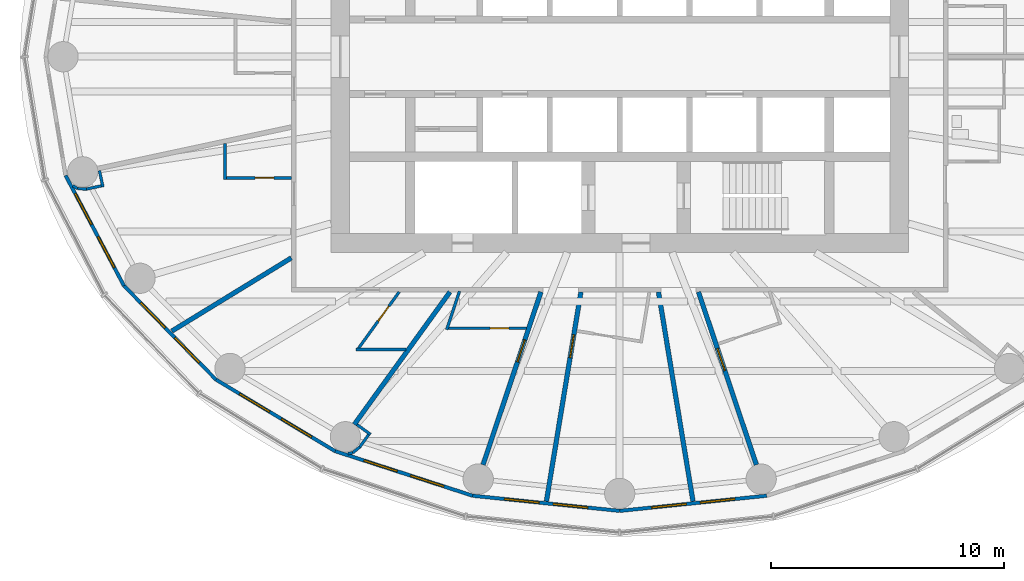
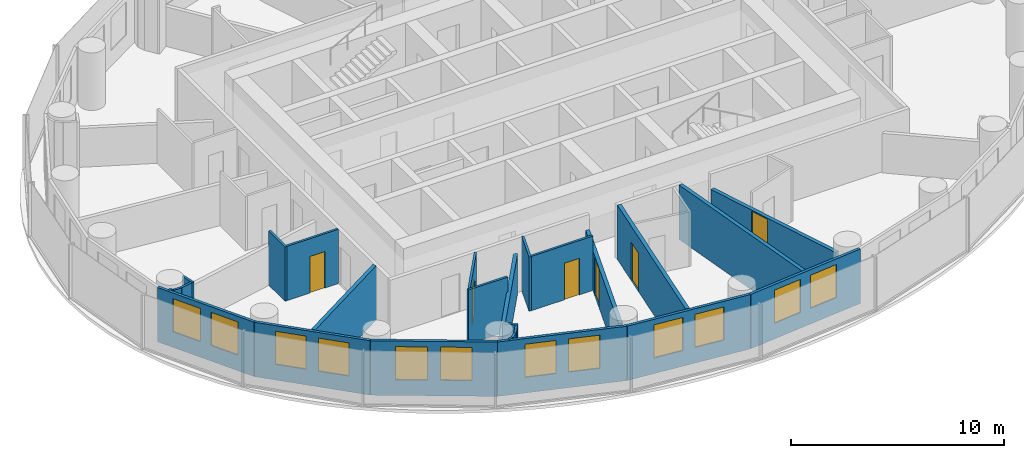
# One storey, part 6 of 13: 26 walls, 12 windows, 6 doors, 18 openings.
"""IFC4 building model written with IfcOpenShell, lengths in metres."""

from ifc_helpers import new_model, si_unit, direction, frame, frame_2d, origin, place, context, subcontext, project, spatial, rectangle, extrude, material, layer, layer_set, type_object, element, fill, save


model = new_model("IFC4")

# Units and contexts
model_context = context("Model", 3, precision=1e-05, world=origin(), true_north=direction((0.0, 1.0)))
body_context = subcontext(model_context, "Body", "Model", "MODEL_VIEW")
ifc_project = project(units=[si_unit("LENGTHUNIT", "METRE"), si_unit("AREAUNIT", "SQUARE_METRE"), si_unit("VOLUMEUNIT", "CUBIC_METRE"), si_unit("PLANEANGLEUNIT", "RADIAN"), si_unit("MASSUNIT", "GRAM", prefix="KILO")], contexts=[model_context])

# Site, building, storey
site_placement = place(None, origin())
site = spatial("IfcSite", under=ifc_project, at=site_placement, CompositionType="ELEMENT")
building_placement = place(site_placement, origin())
building = spatial("IfcBuilding", under=site, at=building_placement, Name="Hankou Lantern Tower", CompositionType="ELEMENT")
storey_placement = place(building_placement, frame((0.0, 0.0, 105.60009765625)))
storey = spatial("IfcBuildingStorey", under=building, at=storey_placement, Name="L26", CompositionType="ELEMENT", Elevation=105.60009765625)

# Wall, openings, windows
ifc_material_1 = material(Name="Aluminium spandrel panel on steel studs", Category="steel")
ifc_layer_1 = layer(ifc_material_1, 0.14990234375)
ifc_layer_set_1 = layer_set([ifc_layer_1], Name="Aluminium spandrel panel on steel studs")
wall_type_1 = type_object("IfcWallType", Name="EW1 INNER SKIN WALL 150", PredefinedType="ELEMENTEDWALL", material=ifc_layer_set_1)
wall_1_placement = place(storey_placement, frame((-23.7919921875, -5.10009765625, 0.0), z_axis=(0.0, 0.0, 1.0), x_axis=(0.467814388454, -0.883826735257, 0.0)))
wall_1 = element("IfcWall", 1, at=wall_1_placement, inside=storey, type_object=wall_type_1, Name="Inner skin R14-R15 L26", PredefinedType="ELEMENTEDWALL", context=body_context, shape_type="SweptSolid", body=[
    extrude(rectangle(XDim=5.35400390625, YDim=0.14990234375, at=frame_2d((2.677001953125, 0.0))), origin(), (0.0, 0.0, 1.0), 3.119873046875),
])
opening_1_placement = place(wall_1_placement, frame((0.876953125, 0.0, 0.89990234375)))
opening_1 = element("IfcOpeningElement", 2, at=opening_1_placement, cuts=wall_1, Name="Opening W2", PredefinedType="OPENING", context=body_context, shape_type="SweptSolid", body=[
    extrude(rectangle(XDim=1.5, YDim=1.89990234375, at=frame_2d((0.75, 0.949951171875))), frame((0.0, 0.0849609375, 0.0), z_axis=(0.0, -1.0, 0.0), x_axis=(1.0, 0.0, 0.0)), (0.0, 0.0, 1.0), 0.169921875),
])
opening_2_placement = place(wall_1_placement, frame((2.97705078125, 0.0, 0.89990234375)))
opening_2 = element("IfcOpeningElement", 3, at=opening_2_placement, cuts=wall_1, Name="Opening W2", PredefinedType="OPENING", context=body_context, shape_type="SweptSolid", body=[
    extrude(rectangle(XDim=1.5, YDim=1.89990234375, at=frame_2d((0.75, 0.949951171875))), frame((0.0, 0.0849609375, 0.0), z_axis=(0.0, -1.0, 0.0), x_axis=(1.0, 0.0, 0.0)), (0.0, 0.0, 1.0), 0.169921875),
])
ifc_material_2 = material(Name="Aluminium framed double glazed window", Category="aluminium")
window_type = type_object("IfcWindowType", Name="W2 GUEST ROOM WINDOW 1500X1900", PartitioningType="DOUBLE_PANEL_VERTICAL", PredefinedType="WINDOW", material=ifc_material_2)
window_1_placement = place(opening_1_placement, origin())
window_1 = element("IfcWindow", 4, at=window_1_placement, inside=storey, type_object=window_type, Name="Window R14.1 L26", OverallHeight=1.89990234375, OverallWidth=1.5, PartitioningType="SINGLE_PANEL", PredefinedType="WINDOW", context=body_context, shape_type="SweptSolid", body=[
    extrude(rectangle(XDim=1.5, YDim=1.89990234375, at=frame_2d((0.75, 0.949951171875))), frame((0.0, 0.030029296875, 0.0), z_axis=(0.0, -1.0, 0.0), x_axis=(1.0, 0.0, 0.0)), (0.0, 0.0, 1.0), 0.06005859375),
])
fill(opening_1, window_1)
window_2_placement = place(opening_2_placement, origin())
window_2 = element("IfcWindow", 5, at=window_2_placement, inside=storey, type_object=window_type, Name="Window R14.2 L26", OverallHeight=1.89990234375, OverallWidth=1.5, PartitioningType="SINGLE_PANEL", PredefinedType="WINDOW", context=body_context, shape_type="SweptSolid", body=[
    extrude(rectangle(XDim=1.5, YDim=1.89990234375, at=frame_2d((0.75, 0.949951171875))), frame((0.0, 0.030029296875, 0.0), z_axis=(0.0, -1.0, 0.0), x_axis=(1.0, 0.0, 0.0)), (0.0, 0.0, 1.0), 0.06005859375),
])
fill(opening_2, window_2)

wall_2_placement = place(storey_placement, frame((-21.287353515625, -9.83203125, 0.0), z_axis=(0.0, 0.0, 1.0), x_axis=(0.700136650834, -0.714008872605, 0.0)))
wall_2 = element("IfcWall", 6, at=wall_2_placement, inside=storey, type_object=wall_type_1, Name="Inner skin R15-R16 L26", PredefinedType="ELEMENTEDWALL", context=body_context, shape_type="SweptSolid", body=[
    extrude(rectangle(XDim=5.6494140625, YDim=0.14990234375, at=frame_2d((2.82470703125, 0.0))), origin(), (0.0, 0.0, 1.0), 3.119873046875),
])
opening_3_placement = place(wall_2_placement, frame((1.024658203125, 0.0, 0.89990234375)))
opening_3 = element("IfcOpeningElement", 7, at=opening_3_placement, cuts=wall_2, Name="Opening W2", PredefinedType="OPENING", context=body_context, shape_type="SweptSolid", body=[
    extrude(rectangle(XDim=1.5, YDim=1.89990234375, at=frame_2d((0.75, 0.949951171875))), frame((0.0, 0.0849609375, 0.0), z_axis=(0.0, -1.0, 0.0), x_axis=(1.0, 0.0, 0.0)), (0.0, 0.0, 1.0), 0.169921875),
])
opening_4_placement = place(wall_2_placement, frame((3.12451171875, 0.0, 0.89990234375)))
opening_4 = element("IfcOpeningElement", 8, at=opening_4_placement, cuts=wall_2, Name="Opening W2", PredefinedType="OPENING", context=body_context, shape_type="SweptSolid", body=[
    extrude(rectangle(XDim=1.5, YDim=1.89990234375, at=frame_2d((0.75, 0.949951171875))), frame((0.0, 0.0849609375, 0.0), z_axis=(0.0, -1.0, 0.0), x_axis=(1.0, 0.0, 0.0)), (0.0, 0.0, 1.0), 0.169921875),
])
window_3_placement = place(opening_3_placement, origin())
window_3 = element("IfcWindow", 9, at=window_3_placement, inside=storey, type_object=window_type, Name="Window R15.1 L26", OverallHeight=1.89990234375, OverallWidth=1.5, PartitioningType="SINGLE_PANEL", PredefinedType="WINDOW", context=body_context, shape_type="SweptSolid", body=[
    extrude(rectangle(XDim=1.5, YDim=1.89990234375, at=frame_2d((0.75, 0.949951171875))), frame((0.0, 0.030029296875, 0.0), z_axis=(0.0, -1.0, 0.0), x_axis=(1.0, 0.0, 0.0)), (0.0, 0.0, 1.0), 0.06005859375),
])
fill(opening_3, window_3)
window_4_placement = place(opening_4_placement, origin())
window_4 = element("IfcWindow", 10, at=window_4_placement, inside=storey, type_object=window_type, Name="Window R15.2 L26", OverallHeight=1.89990234375, OverallWidth=1.5, PartitioningType="SINGLE_PANEL", PredefinedType="WINDOW", context=body_context, shape_type="SweptSolid", body=[
    extrude(rectangle(XDim=1.5, YDim=1.89990234375, at=frame_2d((0.75, 0.949951171875))), frame((0.0, 0.030029296875, 0.0), z_axis=(0.0, -1.0, 0.0), x_axis=(1.0, 0.0, 0.0)), (0.0, 0.0, 1.0), 0.06005859375),
])
fill(opening_4, window_4)

wall_3_placement = place(storey_placement, frame((-17.33203125, -13.86572265625, 0.0), z_axis=(0.0, 0.0, 1.0), x_axis=(0.857308573723, -0.514802884044, 0.0)))
wall_3 = element("IfcWall", 11, at=wall_3_placement, inside=storey, type_object=wall_type_1, Name="Inner skin R16-R17 L26", PredefinedType="ELEMENTEDWALL", context=body_context, shape_type="SweptSolid", body=[
    extrude(rectangle(XDim=5.961181640625, YDim=0.14990234375, at=frame_2d((2.98046875, 0.0))), origin(), (0.0, 0.0, 1.0), 3.119873046875),
])
opening_5_placement = place(wall_3_placement, frame((1.1806640625, 0.0, 0.89990234375)))
opening_5 = element("IfcOpeningElement", 12, at=opening_5_placement, cuts=wall_3, Name="Opening W2", PredefinedType="OPENING", context=body_context, shape_type="SweptSolid", body=[
    extrude(rectangle(XDim=1.5, YDim=1.89990234375, at=frame_2d((0.75, 0.949951171875))), frame((0.0, 0.0849609375, 0.0), z_axis=(0.0, -1.0, 0.0), x_axis=(1.0, 0.0, 0.0)), (0.0, 0.0, 1.0), 0.169921875),
])
opening_6_placement = place(wall_3_placement, frame((3.280517578125, 0.0, 0.89990234375)))
opening_6 = element("IfcOpeningElement", 13, at=opening_6_placement, cuts=wall_3, Name="Opening W2", PredefinedType="OPENING", context=body_context, shape_type="SweptSolid", body=[
    extrude(rectangle(XDim=1.5, YDim=1.89990234375, at=frame_2d((0.75, 0.949951171875))), frame((0.0, 0.0849609375, 0.0), z_axis=(0.0, -1.0, 0.0), x_axis=(1.0, 0.0, 0.0)), (0.0, 0.0, 1.0), 0.169921875),
])
window_5_placement = place(opening_5_placement, origin())
window_5 = element("IfcWindow", 14, at=window_5_placement, inside=storey, type_object=window_type, Name="Window R16.1 L26", OverallHeight=1.89990234375, OverallWidth=1.5, PartitioningType="SINGLE_PANEL", PredefinedType="WINDOW", context=body_context, shape_type="SweptSolid", body=[
    extrude(rectangle(XDim=1.5, YDim=1.89990234375, at=frame_2d((0.75, 0.949951171875))), frame((0.0, 0.030029296875, 0.0), z_axis=(0.0, -1.0, 0.0), x_axis=(1.0, 0.0, 0.0)), (0.0, 0.0, 1.0), 0.06005859375),
])
fill(opening_5, window_5)
window_6_placement = place(opening_6_placement, origin())
window_6 = element("IfcWindow", 15, at=window_6_placement, inside=storey, type_object=window_type, Name="Window R16.2 L26", OverallHeight=1.89990234375, OverallWidth=1.5, PartitioningType="SINGLE_PANEL", PredefinedType="WINDOW", context=body_context, shape_type="SweptSolid", body=[
    extrude(rectangle(XDim=1.5, YDim=1.89990234375, at=frame_2d((0.75, 0.949951171875))), frame((0.0, 0.030029296875, 0.0), z_axis=(0.0, -1.0, 0.0), x_axis=(1.0, 0.0, 0.0)), (0.0, 0.0, 1.0), 0.06005859375),
])
fill(opening_6, window_6)

wall_4_placement = place(storey_placement, frame((-12.221435546875, -16.9345703125, 0.0), z_axis=(0.0, 0.0, 1.0), x_axis=(0.951272691506, -0.308350881944, 0.0)))
wall_4 = element("IfcWall", 16, at=wall_4_placement, inside=storey, type_object=wall_type_1, Name="Inner skin R17-R18 L26", PredefinedType="ELEMENTEDWALL", context=body_context, shape_type="SweptSolid", body=[
    extrude(rectangle(XDim=6.210693359375, YDim=0.14990234375, at=frame_2d((3.10546875, 0.0))), origin(), (0.0, 0.0, 1.0), 3.119873046875),
])
opening_7_placement = place(wall_4_placement, frame((1.305419921875, 0.0, 0.89990234375)))
opening_7 = element("IfcOpeningElement", 17, at=opening_7_placement, cuts=wall_4, Name="Opening W2", PredefinedType="OPENING", context=body_context, shape_type="SweptSolid", body=[
    extrude(rectangle(XDim=1.5, YDim=1.89990234375, at=frame_2d((0.75, 0.949951171875))), frame((0.0, 0.0849609375, 0.0), z_axis=(0.0, -1.0, 0.0), x_axis=(1.0, 0.0, 0.0)), (0.0, 0.0, 1.0), 0.169921875),
])
opening_8_placement = place(wall_4_placement, frame((3.4052734375, 0.0, 0.89990234375)))
opening_8 = element("IfcOpeningElement", 18, at=opening_8_placement, cuts=wall_4, Name="Opening W2", PredefinedType="OPENING", context=body_context, shape_type="SweptSolid", body=[
    extrude(rectangle(XDim=1.5, YDim=1.89990234375, at=frame_2d((0.75, 0.949951171875))), frame((0.0, 0.0849609375, 0.0), z_axis=(0.0, -1.0, 0.0), x_axis=(1.0, 0.0, 0.0)), (0.0, 0.0, 1.0), 0.169921875),
])
window_7_placement = place(opening_7_placement, origin())
window_7 = element("IfcWindow", 19, at=window_7_placement, inside=storey, type_object=window_type, Name="Window R17.1 L26", OverallHeight=1.89990234375, OverallWidth=1.5, PartitioningType="SINGLE_PANEL", PredefinedType="WINDOW", context=body_context, shape_type="SweptSolid", body=[
    extrude(rectangle(XDim=1.5, YDim=1.89990234375, at=frame_2d((0.75, 0.949951171875))), frame((0.0, 0.030029296875, 0.0), z_axis=(0.0, -1.0, 0.0), x_axis=(1.0, 0.0, 0.0)), (0.0, 0.0, 1.0), 0.06005859375),
])
fill(opening_7, window_7)
window_8_placement = place(opening_8_placement, origin())
window_8 = element("IfcWindow", 20, at=window_8_placement, inside=storey, type_object=window_type, Name="Window R17.2 L26", OverallHeight=1.89990234375, OverallWidth=1.5, PartitioningType="SINGLE_PANEL", PredefinedType="WINDOW", context=body_context, shape_type="SweptSolid", body=[
    extrude(rectangle(XDim=1.5, YDim=1.89990234375, at=frame_2d((0.75, 0.949951171875))), frame((0.0, 0.030029296875, 0.0), z_axis=(0.0, -1.0, 0.0), x_axis=(1.0, 0.0, 0.0)), (0.0, 0.0, 1.0), 0.06005859375),
])
fill(opening_8, window_8)

wall_5_placement = place(storey_placement, frame((-6.3134765625, -18.849609375, 0.0), z_axis=(0.0, 0.0, 1.0), x_axis=(0.994735690163, -0.102473931887, 0.0)))
wall_5 = element("IfcWall", 21, at=wall_5_placement, inside=storey, type_object=wall_type_1, Name="Inner skin R18-R19 L26", PredefinedType="ELEMENTEDWALL", context=body_context, shape_type="SweptSolid", body=[
    extrude(rectangle(XDim=6.346923828125, YDim=0.14990234375, at=frame_2d((3.17333984375, 0.0))), origin(), (0.0, 0.0, 1.0), 3.119873046875),
])
opening_9_placement = place(wall_5_placement, frame((1.373291015625, 0.0, 0.89990234375)))
opening_9 = element("IfcOpeningElement", 22, at=opening_9_placement, cuts=wall_5, Name="Opening W2", PredefinedType="OPENING", context=body_context, shape_type="SweptSolid", body=[
    extrude(rectangle(XDim=1.5, YDim=1.89990234375, at=frame_2d((0.75, 0.949951171875))), frame((0.0, 0.0849609375, 0.0), z_axis=(0.0, -1.0, 0.0), x_axis=(1.0, 0.0, 0.0)), (0.0, 0.0, 1.0), 0.169921875),
])
opening_10_placement = place(wall_5_placement, frame((3.473388671875, 0.0, 0.89990234375)))
opening_10 = element("IfcOpeningElement", 23, at=opening_10_placement, cuts=wall_5, Name="Opening W2", PredefinedType="OPENING", context=body_context, shape_type="SweptSolid", body=[
    extrude(rectangle(XDim=1.5, YDim=1.89990234375, at=frame_2d((0.75, 0.949951171875))), frame((0.0, 0.0849609375, 0.0), z_axis=(0.0, -1.0, 0.0), x_axis=(1.0, 0.0, 0.0)), (0.0, 0.0, 1.0), 0.169921875),
])
window_9_placement = place(opening_9_placement, origin())
window_9 = element("IfcWindow", 24, at=window_9_placement, inside=storey, type_object=window_type, Name="Window R18.1 L26", OverallHeight=1.89990234375, OverallWidth=1.5, PartitioningType="SINGLE_PANEL", PredefinedType="WINDOW", context=body_context, shape_type="SweptSolid", body=[
    extrude(rectangle(XDim=1.5, YDim=1.89990234375, at=frame_2d((0.75, 0.949951171875))), frame((0.0, 0.030029296875, 0.0), z_axis=(0.0, -1.0, 0.0), x_axis=(1.0, 0.0, 0.0)), (0.0, 0.0, 1.0), 0.06005859375),
])
fill(opening_9, window_9)
window_10_placement = place(opening_10_placement, origin())
window_10 = element("IfcWindow", 25, at=window_10_placement, inside=storey, type_object=window_type, Name="Window R18.2 L26", OverallHeight=1.89990234375, OverallWidth=1.5, PartitioningType="SINGLE_PANEL", PredefinedType="WINDOW", context=body_context, shape_type="SweptSolid", body=[
    extrude(rectangle(XDim=1.5, YDim=1.89990234375, at=frame_2d((0.75, 0.949951171875))), frame((0.0, 0.030029296875, 0.0), z_axis=(0.0, -1.0, 0.0), x_axis=(1.0, 0.0, 0.0)), (0.0, 0.0, 1.0), 0.06005859375),
])
fill(opening_10, window_10)

wall_6_placement = place(storey_placement, frame((0.0, -19.5, 0.0), z_axis=(0.0, 0.0, 1.0), x_axis=(0.994735690163, 0.102473931887, 0.0)))
wall_6 = element("IfcWall", 26, at=wall_6_placement, inside=storey, type_object=wall_type_1, Name="Inner skin R19-R20 L26", PredefinedType="ELEMENTEDWALL", context=body_context, shape_type="SweptSolid", body=[
    extrude(rectangle(XDim=6.346923828125, YDim=0.14990234375, at=frame_2d((3.17333984375, 0.0))), origin(), (0.0, 0.0, 1.0), 3.119873046875),
])
opening_11_placement = place(wall_6_placement, frame((1.373291015625, 0.0, 0.89990234375)))
opening_11 = element("IfcOpeningElement", 27, at=opening_11_placement, cuts=wall_6, Name="Opening W2", PredefinedType="OPENING", context=body_context, shape_type="SweptSolid", body=[
    extrude(rectangle(XDim=1.5, YDim=1.89990234375, at=frame_2d((0.75, 0.949951171875))), frame((0.0, 0.0849609375, 0.0), z_axis=(0.0, -1.0, 0.0), x_axis=(1.0, 0.0, 0.0)), (0.0, 0.0, 1.0), 0.169921875),
])
opening_12_placement = place(wall_6_placement, frame((3.473388671875, 0.0, 0.89990234375)))
opening_12 = element("IfcOpeningElement", 28, at=opening_12_placement, cuts=wall_6, Name="Opening W2", PredefinedType="OPENING", context=body_context, shape_type="SweptSolid", body=[
    extrude(rectangle(XDim=1.5, YDim=1.89990234375, at=frame_2d((0.75, 0.949951171875))), frame((0.0, 0.0849609375, 0.0), z_axis=(0.0, -1.0, 0.0), x_axis=(1.0, 0.0, 0.0)), (0.0, 0.0, 1.0), 0.169921875),
])
window_11_placement = place(opening_11_placement, origin())
window_11 = element("IfcWindow", 29, at=window_11_placement, inside=storey, type_object=window_type, Name="Window R19.1 L26", OverallHeight=1.89990234375, OverallWidth=1.5, PartitioningType="SINGLE_PANEL", PredefinedType="WINDOW", context=body_context, shape_type="SweptSolid", body=[
    extrude(rectangle(XDim=1.5, YDim=1.89990234375, at=frame_2d((0.75, 0.949951171875))), frame((0.0, 0.030029296875, 0.0), z_axis=(0.0, -1.0, 0.0), x_axis=(1.0, 0.0, 0.0)), (0.0, 0.0, 1.0), 0.06005859375),
])
fill(opening_11, window_11)
window_12_placement = place(opening_12_placement, origin())
window_12 = element("IfcWindow", 30, at=window_12_placement, inside=storey, type_object=window_type, Name="Window R19.2 L26", OverallHeight=1.89990234375, OverallWidth=1.5, PartitioningType="SINGLE_PANEL", PredefinedType="WINDOW", context=body_context, shape_type="SweptSolid", body=[
    extrude(rectangle(XDim=1.5, YDim=1.89990234375, at=frame_2d((0.75, 0.949951171875))), frame((0.0, 0.030029296875, 0.0), z_axis=(0.0, -1.0, 0.0), x_axis=(1.0, 0.0, 0.0)), (0.0, 0.0, 1.0), 0.06005859375),
])
fill(opening_12, window_12)

# Walls
ifc_material_3 = material(Name="Masonry lightweight concrete block", Category="masonry")
ifc_layer_2 = layer(ifc_material_3, 0.199951171875)
ifc_layer_set_2 = layer_set([ifc_layer_2], Name="Masonry lightweight concrete block")
wall_type_2 = type_object("IfcWallType", Name="IW1 GUEST ROOM PARTY WALL 200", PredefinedType="PARTITIONING", material=ifc_layer_set_2)
wall_7_placement = place(storey_placement, frame((-14.10009765625, -8.6376953125, 0.0), z_axis=(0.0, 0.0, 1.0), x_axis=(-0.852706758009, -0.5223898782, 0.0)))
element("IfcWall", 31, at=wall_7_placement, inside=storey, type_object=wall_type_2, Name="Party wall R15-R16", PredefinedType="PARTITIONING", context=body_context, shape_type="SweptSolid", body=[
    extrude(rectangle(XDim=6.0185546875, YDim=0.199951171875, at=frame_2d((3.00927734375, 0.0))), origin(), (0.0, 0.0, 1.0), 3.119873046875),
])
wall_8_placement = place(storey_placement, frame((-7.2890625, -10.10009765625, 0.0), z_axis=(0.0, 0.0, 1.0), x_axis=(-0.585217367024, -0.81087645997, 0.0)))
element("IfcWall", 32, at=wall_8_placement, inside=storey, type_object=wall_type_2, Name="Party wall R17", PredefinedType="PARTITIONING", context=body_context, shape_type="SweptSolid", body=[
    extrude(rectangle(XDim=7.01611328125, YDim=0.199951171875, at=frame_2d((3.508056640625, 0.0))), origin(), (0.0, 0.0, 1.0), 2.27001953125),
])

# Wall, opening, door
ifc_material_4 = material(Name="Masonry lightweight concrete block", Category="masonry")
ifc_layer_3 = layer(ifc_material_4, 0.199951171875)
ifc_layer_set_3 = layer_set([ifc_layer_3], Name="Masonry lightweight concrete block")
wall_type_3 = type_object("IfcWallType", Name="IW2 CORRIDOR WALL 200", PredefinedType="PARTITIONING", material=ifc_layer_set_3)
wall_9_placement = place(storey_placement, frame((-3.3828125, -10.10009765625, 0.0), z_axis=(0.0, 0.0, 1.0), x_axis=(-0.317603705574, -0.948223542318, 0.0)))
wall_9 = element("IfcWall", 33, at=wall_9_placement, inside=storey, type_object=wall_type_3, Name="Corridor spur wall R18", PredefinedType="PARTITIONING", context=body_context, shape_type="SweptSolid", body=[
    extrude(rectangle(XDim=7.822998046875, YDim=0.199951171875, at=frame_2d((3.91162109375, 0.0))), origin(), (0.0, 0.0, 1.0), 2.27001953125),
])
opening_13_placement = place(wall_9_placement, frame((2.168212890625, 0.0, 0.0)))
opening_13 = element("IfcOpeningElement", 34, at=opening_13_placement, cuts=wall_9, Name="Opening D1", PredefinedType="OPENING", context=body_context, shape_type="SweptSolid", body=[
    extrude(rectangle(XDim=1.0, YDim=2.199951171875, at=frame_2d((0.5, 1.10009765625))), frame((0.0, 0.10986328125, 0.0), z_axis=(0.0, -1.0, 0.0), x_axis=(1.0, 0.0, 0.0)), (0.0, 0.0, 1.0), 0.219970703125),
])
ifc_material_5 = material(Name="Steel door leaf", Category="steel")
door_type_1 = type_object("IfcDoorType", Name="D1 GUEST ROOM DOOR 1000X2200", OperationType="SINGLE_SWING_LEFT", PredefinedType="DOOR", material=ifc_material_5)
door_1_placement = place(opening_13_placement, origin())
door_1 = element("IfcDoor", 35, at=door_1_placement, inside=storey, type_object=door_type_1, Name="Guest room door 2610", OperationType="SINGLE_SWING_LEFT", OverallHeight=2.199951171875, OverallWidth=1.0, PredefinedType="DOOR", context=body_context, shape_type="SweptSolid", body=[
    extrude(rectangle(XDim=1.0, YDim=2.199951171875, at=frame_2d((0.5, 1.10009765625))), frame((0.0, 0.02490234375, 0.0), z_axis=(0.0, -1.0, 0.0), x_axis=(1.0, 0.0, 0.0)), (0.0, 0.0, 1.0), 0.050048828125),
])
fill(opening_13, door_1)

wall_10_placement = place(storey_placement, frame((-1.665283203125, -10.10009765625, 0.0), z_axis=(0.0, 0.0, 1.0), x_axis=(-0.162660519103, -0.986682094459, 0.0)))
wall_10 = element("IfcWall", 36, at=wall_10_placement, inside=storey, type_object=wall_type_3, Name="Corridor spur wall R18-R19", PredefinedType="PARTITIONING", context=body_context, shape_type="SweptSolid", body=[
    extrude(rectangle(XDim=9.110595703125, YDim=0.199951171875, at=frame_2d((4.55517578125, 0.0))), origin(), (0.0, 0.0, 1.0), 3.119873046875),
])
opening_14_placement = place(wall_10_placement, frame((1.860107421875, 0.0, 0.0)))
opening_14 = element("IfcOpeningElement", 37, at=opening_14_placement, cuts=wall_10, Name="Opening D1", PredefinedType="OPENING", context=body_context, shape_type="SweptSolid", body=[
    extrude(rectangle(XDim=1.0, YDim=2.199951171875, at=frame_2d((0.5, 1.10009765625))), frame((0.0, 0.10986328125, 0.0), z_axis=(0.0, -1.0, 0.0), x_axis=(1.0, 0.0, 0.0)), (0.0, 0.0, 1.0), 0.219970703125),
])
door_2_placement = place(opening_14_placement, origin())
door_2 = element("IfcDoor", 38, at=door_2_placement, inside=storey, type_object=door_type_1, Name="Guest room door 2612", OperationType="SINGLE_SWING_LEFT", OverallHeight=2.199951171875, OverallWidth=1.0, PredefinedType="DOOR", context=body_context, shape_type="SweptSolid", body=[
    extrude(rectangle(XDim=1.0, YDim=2.199951171875, at=frame_2d((0.5, 1.10009765625))), frame((0.0, 0.02490234375, 0.0), z_axis=(0.0, -1.0, 0.0), x_axis=(1.0, 0.0, 0.0)), (0.0, 0.0, 1.0), 0.050048828125),
])
fill(opening_14, door_2)

# Wall
wall_11_placement = place(storey_placement, frame((1.665283203125, -10.10009765625, 0.0), z_axis=(0.0, 0.0, 1.0), x_axis=(0.162660519103, -0.986682094459, 0.0)))
element("IfcWall", 39, at=wall_11_placement, inside=storey, type_object=wall_type_3, Name="Corridor spur wall R19-R20", PredefinedType="PARTITIONING", context=body_context, shape_type="SweptSolid", body=[
    extrude(rectangle(XDim=9.110595703125, YDim=0.199951171875, at=frame_2d((4.55517578125, 0.0))), origin(), (0.0, 0.0, 1.0), 3.119873046875),
])

# Wall, opening, door
wall_12_placement = place(storey_placement, frame((3.3828125, -10.10009765625, 0.0), z_axis=(0.0, 0.0, 1.0), x_axis=(0.317603705574, -0.948223542318, 0.0)))
wall_12 = element("IfcWall", 40, at=wall_12_placement, inside=storey, type_object=wall_type_3, Name="Corridor spur wall R20", PredefinedType="PARTITIONING", context=body_context, shape_type="SweptSolid", body=[
    extrude(rectangle(XDim=7.822998046875, YDim=0.199951171875, at=frame_2d((3.91162109375, 0.0))), origin(), (0.0, 0.0, 1.0), 2.27001953125),
])
opening_15_placement = place(wall_12_placement, frame((2.56005859375, 0.0, 0.0)))
opening_15 = element("IfcOpeningElement", 41, at=opening_15_placement, cuts=wall_12, Name="Opening D2", PredefinedType="OPENING", context=body_context, shape_type="SweptSolid", body=[
    extrude(rectangle(XDim=1.0, YDim=2.199951171875, at=frame_2d((0.5, 1.10009765625))), frame((0.0, 0.10986328125, 0.0), z_axis=(0.0, -1.0, 0.0), x_axis=(1.0, 0.0, 0.0)), (0.0, 0.0, 1.0), 0.219970703125),
])
ifc_material_6 = material(Name="Steel door leaf", Category="steel")
door_type_2 = type_object("IfcDoorType", Name="D2 SUITE DOOR 1000X2200", OperationType="SINGLE_SWING_LEFT", PredefinedType="DOOR", material=ifc_material_6)
door_3_placement = place(opening_15_placement, origin())
door_3 = element("IfcDoor", 42, at=door_3_placement, inside=storey, type_object=door_type_2, Name="Suite door 2614", OperationType="SINGLE_SWING_LEFT", OverallHeight=2.199951171875, OverallWidth=1.0, PredefinedType="DOOR", context=body_context, shape_type="SweptSolid", body=[
    extrude(rectangle(XDim=1.0, YDim=2.199951171875, at=frame_2d((0.5, 1.10009765625))), frame((0.0, 0.02490234375, 0.0), z_axis=(0.0, -1.0, 0.0), x_axis=(1.0, 0.0, 0.0)), (0.0, 0.0, 1.0), 0.050048828125),
])
fill(opening_15, door_3)

# Wall
ifc_material_7 = material(Name="Masonry lightweight concrete block", Category="masonry")
ifc_layer_4 = layer(ifc_material_7, 0.1201171875)
ifc_layer_set_4 = layer_set([ifc_layer_4], Name="Masonry lightweight concrete block")
wall_type_4 = type_object("IfcWallType", Name="IW3 BATHROOM WALL 120", PredefinedType="PARTITIONING", material=ifc_layer_set_4)
wall_13_placement = place(storey_placement, frame((-16.949951171875, -3.7333984375, 0.0), z_axis=(0.0, 0.0, 1.0), x_axis=(0.0, -1.0, 0.0)))
element("IfcWall", 43, at=wall_13_placement, inside=storey, type_object=wall_type_4, Name="Box wall 2608 1", PredefinedType="PARTITIONING", context=body_context, shape_type="SweptSolid", body=[
    extrude(rectangle(XDim=1.529052734375, YDim=0.1201171875, at=frame_2d((0.7646484375, 0.0))), origin(), (0.0, 0.0, 1.0), 3.119873046875),
])

# Wall, opening, door
wall_14_placement = place(storey_placement, frame((-14.10009765625, -5.202392578125, 0.0), z_axis=(0.0, 0.0, 1.0), x_axis=(-1.0, 0.0, 0.0)))
wall_14 = element("IfcWall", 44, at=wall_14_placement, inside=storey, type_object=wall_type_4, Name="Box wall 2608 1", PredefinedType="PARTITIONING", context=body_context, shape_type="SweptSolid", body=[
    extrude(rectangle(XDim=2.789794921875, YDim=0.1201171875, at=frame_2d((1.39501953125, 0.0))), origin(), (0.0, 0.0, 1.0), 3.119873046875),
])
opening_16_placement = place(wall_14_placement, frame((0.75, 0.0, 0.0)))
opening_16 = element("IfcOpeningElement", 45, at=opening_16_placement, cuts=wall_14, Name="Opening D3", PredefinedType="OPENING", context=body_context, shape_type="SweptSolid", body=[
    extrude(rectangle(XDim=0.800048828125, YDim=2.10009765625, at=frame_2d((0.39990234375, 1.050048828125))), frame((0.0, 0.070068359375, 0.0), z_axis=(0.0, -1.0, 0.0), x_axis=(1.0, 0.0, 0.0)), (0.0, 0.0, 1.0), 0.14013671875),
])
ifc_material_8 = material(Name="Timber door leaf", Category="wood")
door_type_3 = type_object("IfcDoorType", Name="D3 BATHROOM DOOR 800X2100", OperationType="SINGLE_SWING_LEFT", PredefinedType="DOOR", material=ifc_material_8)
door_4_placement = place(opening_16_placement, origin())
door_4 = element("IfcDoor", 46, at=door_4_placement, inside=storey, type_object=door_type_3, Name="En-suite bathroom 2608 door", OperationType="SINGLE_SWING_LEFT", OverallHeight=2.10009765625, OverallWidth=0.800048828125, PredefinedType="DOOR", context=body_context, shape_type="SweptSolid", body=[
    extrude(rectangle(XDim=0.800048828125, YDim=2.10009765625, at=frame_2d((0.39990234375, 1.050048828125))), frame((0.0, 0.02490234375, 0.0), z_axis=(0.0, -1.0, 0.0), x_axis=(1.0, 0.0, 0.0)), (0.0, 0.0, 1.0), 0.050048828125),
])
fill(opening_16, door_4)

# Wall
wall_15_placement = place(storey_placement, frame((-9.173828125, -12.5732421875, 0.0), z_axis=(0.0, 0.0, 1.0), x_axis=(-1.0, 0.0, 0.0)))
element("IfcWall", 47, at=wall_15_placement, inside=storey, type_object=wall_type_4, Name="Box wall 2609 1", PredefinedType="PARTITIONING", context=body_context, shape_type="SweptSolid", body=[
    extrude(rectangle(XDim=2.14013671875, YDim=0.1201171875, at=frame_2d((1.070068359375, 0.0))), origin(), (0.0, 0.0, 1.0), 3.119873046875),
])

# Wall, opening, door
wall_16_placement = place(storey_placement, frame((-9.468994140625, -10.10009765625, 0.0), z_axis=(0.0, 0.0, 1.0), x_axis=(-0.58520133861, -0.81088802759, 0.0)))
wall_16 = element("IfcWall", 48, at=wall_16_placement, inside=storey, type_object=wall_type_4, Name="Box wall 2609 1", PredefinedType="PARTITIONING", context=body_context, shape_type="SweptSolid", body=[
    extrude(rectangle(XDim=2.989990234375, YDim=0.1201171875, at=frame_2d((1.4951171875, 0.0))), origin(), (0.0, 0.0, 1.0), 3.119873046875),
])
opening_17_placement = place(wall_16_placement, frame((0.75, 0.0, 0.0)))
opening_17 = element("IfcOpeningElement", 49, at=opening_17_placement, cuts=wall_16, Name="Opening D3", PredefinedType="OPENING", context=body_context, shape_type="SweptSolid", body=[
    extrude(rectangle(XDim=0.800048828125, YDim=2.10009765625, at=frame_2d((0.39990234375, 1.050048828125))), frame((0.0, 0.070068359375, 0.0), z_axis=(0.0, -1.0, 0.0), x_axis=(1.0, 0.0, 0.0)), (0.0, 0.0, 1.0), 0.14013671875),
])
door_5_placement = place(opening_17_placement, origin())
door_5 = element("IfcDoor", 50, at=door_5_placement, inside=storey, type_object=door_type_3, Name="En-suite bathroom 2609 door", OperationType="SINGLE_SWING_RIGHT", OverallHeight=2.10009765625, OverallWidth=0.800048828125, PredefinedType="DOOR", context=body_context, shape_type="SweptSolid", body=[
    extrude(rectangle(XDim=0.800048828125, YDim=2.10009765625, at=frame_2d((0.39990234375, 1.050048828125))), frame((0.0, 0.02490234375, 0.0), z_axis=(0.0, -1.0, 0.0), x_axis=(1.0, 0.0, 0.0)), (0.0, 0.0, 1.0), 0.050048828125),
])
fill(opening_17, door_5)

# Wall
wall_17_placement = place(storey_placement, frame((-6.877685546875, -10.068359375, 0.0), z_axis=(0.0, 0.0, 1.0), x_axis=(-0.317532394508, -0.948247424694, 0.0)))
element("IfcWall", 51, at=wall_17_placement, inside=storey, type_object=wall_type_4, Name="Box wall 2610 1", PredefinedType="PARTITIONING", context=body_context, shape_type="SweptSolid", body=[
    extrude(rectangle(XDim=1.739990234375, YDim=0.1201171875, at=frame_2d((0.8701171875, 0.0))), origin(), (0.0, 0.0, 1.0), 3.119873046875),
])

# Wall, opening, door
wall_18_placement = place(storey_placement, frame((-4.01123046875, -11.661376953125, 0.0), z_axis=(0.0, 0.0, 1.0), x_axis=(-1.0, 0.0, 0.0)))
wall_18 = element("IfcWall", 52, at=wall_18_placement, inside=storey, type_object=wall_type_4, Name="Box wall 2610 1", PredefinedType="PARTITIONING", context=body_context, shape_type="SweptSolid", body=[
    extrude(rectangle(XDim=3.340087890625, YDim=0.1201171875, at=frame_2d((1.669921875, 0.0))), origin(), (0.0, 0.0, 1.0), 3.119873046875),
])
opening_18_placement = place(wall_18_placement, frame((0.75, 0.0, 0.0)))
opening_18 = element("IfcOpeningElement", 53, at=opening_18_placement, cuts=wall_18, Name="Opening D3", PredefinedType="OPENING", context=body_context, shape_type="SweptSolid", body=[
    extrude(rectangle(XDim=0.800048828125, YDim=2.10009765625, at=frame_2d((0.39990234375, 1.050048828125))), frame((0.0, 0.070068359375, 0.0), z_axis=(0.0, -1.0, 0.0), x_axis=(1.0, 0.0, 0.0)), (0.0, 0.0, 1.0), 0.14013671875),
])
door_6_placement = place(opening_18_placement, origin())
door_6 = element("IfcDoor", 54, at=door_6_placement, inside=storey, type_object=door_type_3, Name="En-suite bathroom 2610 door", OperationType="SINGLE_SWING_LEFT", OverallHeight=2.10009765625, OverallWidth=0.800048828125, PredefinedType="DOOR", context=body_context, shape_type="SweptSolid", body=[
    extrude(rectangle(XDim=0.800048828125, YDim=2.10009765625, at=frame_2d((0.39990234375, 1.050048828125))), frame((0.0, 0.02490234375, 0.0), z_axis=(0.0, -1.0, 0.0), x_axis=(1.0, 0.0, 0.0)), (0.0, 0.0, 1.0), 0.050048828125),
])
fill(opening_18, door_6)

# Walls
ifc_material_9 = material(Name="Masonry lightweight concrete block", Category="masonry")
ifc_layer_5 = layer(ifc_material_9, 0.1201171875)
ifc_layer_set_5 = layer_set([ifc_layer_5], Name="Masonry lightweight concrete block")
wall_type_5 = type_object("IfcWallType", Name="IW4 PARTITION 120", PredefinedType="PARTITIONING", material=ifc_layer_set_5)
wall_19_placement = place(storey_placement, frame((-22.339599609375, -4.89111328125, 0.0), z_axis=(0.0, 0.0, 1.0), x_axis=(0.20948248875, -0.977812398626, 0.0)))
element("IfcWall", 55, at=wall_19_placement, inside=storey, type_object=wall_type_5, Name="Column casing R14 return", PredefinedType="PARTITIONING", context=body_context, shape_type="SweptSolid", body=[
    extrude(rectangle(XDim=0.715576171875, YDim=0.1201171875, at=frame_2d((0.35791015625, 0.0))), origin(), (0.0, 0.0, 1.0), 3.119873046875),
])
wall_20_placement = place(storey_placement, frame((-22.260986328125, -5.544677734375, 0.0), z_axis=(0.0, 0.0, 1.0), x_axis=(-0.977785919621, -0.209606048079, 0.0)))
element("IfcWall", 56, at=wall_20_placement, inside=storey, type_object=wall_type_5, Name="Column casing R14", PredefinedType="PARTITIONING", context=body_context, shape_type="SweptSolid", body=[
    extrude(rectangle(XDim=0.64990234375, YDim=0.1201171875, at=frame_2d((0.324951171875, 0.0))), origin(), (0.0, 0.0, 1.0), 3.119873046875),
])
wall_21_placement = place(storey_placement, frame((-22.896484375, -5.680908203125, 0.0), z_axis=(0.0, 0.0, 1.0), x_axis=(-0.998721012592, 0.050560251262, 0.0)))
element("IfcWall", 57, at=wall_21_placement, inside=storey, type_object=wall_type_5, Name="Column casing R14", PredefinedType="PARTITIONING", context=body_context, shape_type="SweptSolid", body=[
    extrude(rectangle(XDim=0.39111328125, YDim=0.1201171875, at=frame_2d((0.195556640625, 0.0))), origin(), (0.0, 0.0, 1.0), 3.119873046875),
])
wall_22_placement = place(storey_placement, frame((-23.287109375, -5.6611328125, 0.0), z_axis=(0.0, 0.0, 1.0), x_axis=(-0.839916668497, 0.542715385798, 0.0)))
element("IfcWall", 58, at=wall_22_placement, inside=storey, type_object=wall_type_5, Name="Column casing R14", PredefinedType="PARTITIONING", context=body_context, shape_type="SweptSolid", body=[
    extrude(rectangle(XDim=0.226806640625, YDim=0.1201171875, at=frame_2d((0.11328125, 0.0))), origin(), (0.0, 0.0, 1.0), 3.119873046875),
])
wall_23_placement = place(storey_placement, frame((-11.27880859375, -15.799072265625, 0.0), z_axis=(0.0, 0.0, 1.0), x_axis=(0.810912957127, -0.585166793285, 0.0)))
element("IfcWall", 59, at=wall_23_placement, inside=storey, type_object=wall_type_5, Name="Column casing R17 return", PredefinedType="PARTITIONING", context=body_context, shape_type="SweptSolid", body=[
    extrude(rectangle(XDim=0.7158203125, YDim=0.1201171875, at=frame_2d((0.35791015625, 0.0))), origin(), (0.0, 0.0, 1.0), 3.119873046875),
])
wall_24_placement = place(storey_placement, frame((-10.781982421875, -16.2314453125, 0.0), z_axis=(0.0, 0.0, 1.0), x_axis=(-0.585175102182, -0.810906961239, 0.0)))
element("IfcWall", 60, at=wall_24_placement, inside=storey, type_object=wall_type_5, Name="Column casing R17", PredefinedType="PARTITIONING", context=body_context, shape_type="SweptSolid", body=[
    extrude(rectangle(XDim=0.64990234375, YDim=0.1201171875, at=frame_2d((0.324951171875, 0.0))), origin(), (0.0, 0.0, 1.0), 3.119873046875),
])
wall_25_placement = place(storey_placement, frame((-11.162353515625, -16.758544921875, 0.0), z_axis=(0.0, 0.0, 1.0), x_axis=(-0.775178428527, -0.63174235567, 0.0)))
element("IfcWall", 61, at=wall_25_placement, inside=storey, type_object=wall_type_5, Name="Column casing R17", PredefinedType="PARTITIONING", context=body_context, shape_type="SweptSolid", body=[
    extrude(rectangle(XDim=0.3916015625, YDim=0.1201171875, at=frame_2d((0.19580078125, 0.0))), origin(), (0.0, 0.0, 1.0), 3.119873046875),
])
wall_26_placement = place(storey_placement, frame((-11.4658203125, -17.005859375, 0.0), z_axis=(0.0, 0.0, 1.0), x_axis=(-0.987228877621, -0.15930832744, 0.0)))
element("IfcWall", 62, at=wall_26_placement, inside=storey, type_object=wall_type_5, Name="Column casing R17", PredefinedType="PARTITIONING", context=body_context, shape_type="SweptSolid", body=[
    extrude(rectangle(XDim=0.202392578125, YDim=0.1201171875, at=frame_2d((0.10107421875, 0.0))), origin(), (0.0, 0.0, 1.0), 3.119873046875),
])

save(model, "model.ifc")
